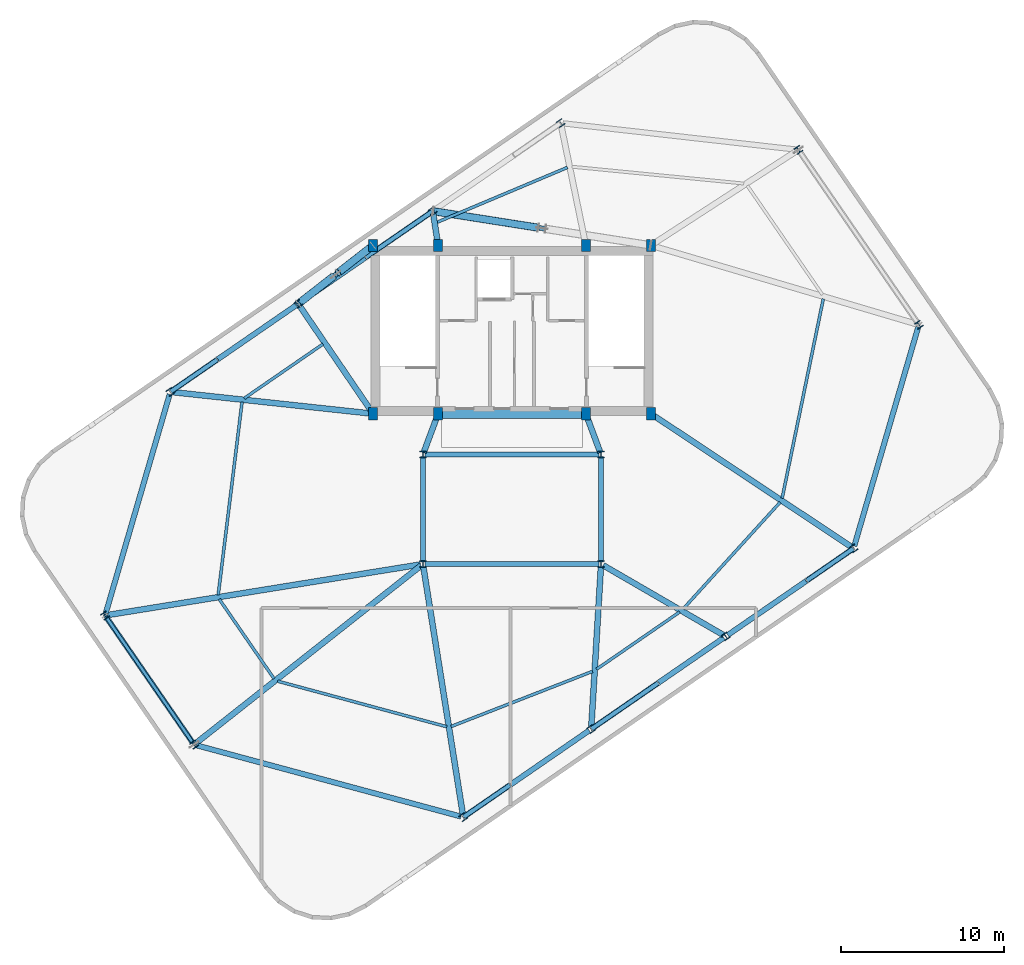
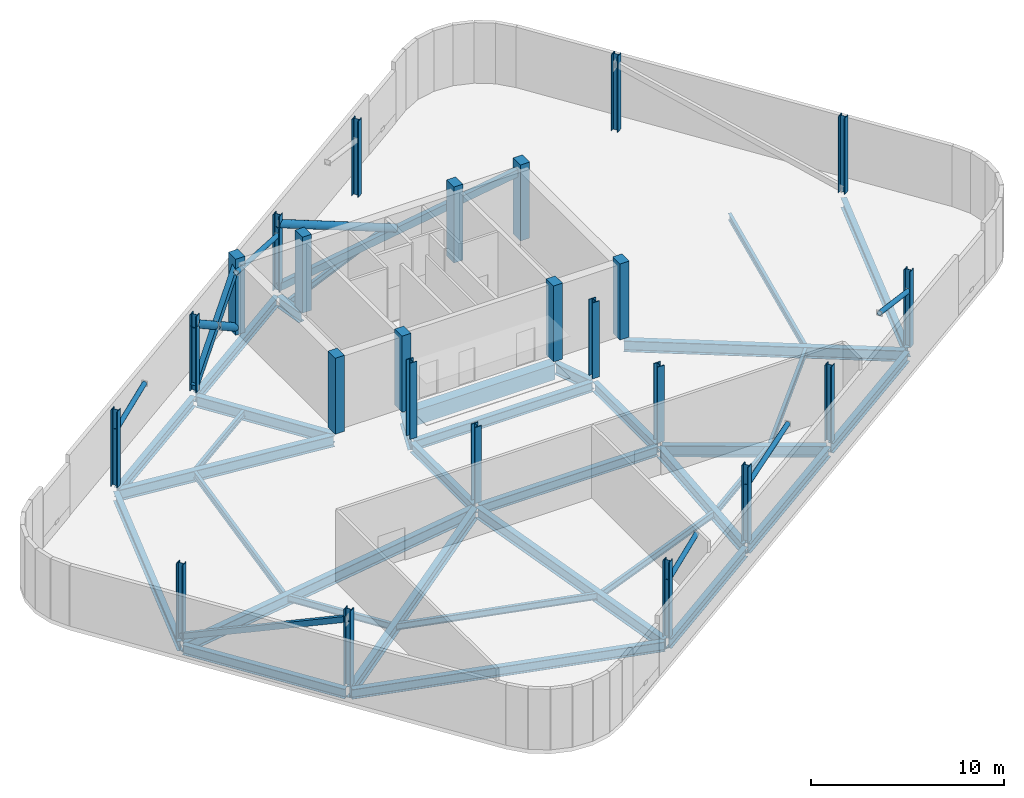
# One storey, part 1 of 10: 34 beams, 24 columns, 11 members.
"""IFC4 building model written with IfcOpenShell, lengths in metres."""

import ifcopenshell
import ifcopenshell.guid

model = None  # the IFC model being written
_history = None  # IfcOwnerHistory: only IFC2X3 demands one
_inside = {}  # id of a spatial element -> (the spatial element, [elements in it])
_under = {}  # id of a project, library or spatial element -> (it, [spatial elements below it])
_declared = {}  # id of a project -> (the project, [libraries it declares])
_typed = {}  # id of a type object -> (the type object, [elements of that type])
_made_of = {}  # id of a material, layer set ... -> (it, [elements and type objects made of it])


def new_model(schema):
    """Start an empty IFC model of exactly this schema.

    Asked for "IFC4X3", IfcOpenShell would pick the latest addendum, in which some entities
    have other attributes; the version numbers below select the first issue.
    IFC2X3 requires an IfcOwnerHistory on every rooted entity: one is made here for all.
    """
    global model, _history
    if schema == "IFC4X3":
        model = ifcopenshell.file(schema_version=(4, 3, 0, 0))
    else:
        model = ifcopenshell.file(schema=schema)
    _inside.clear()
    _under.clear()
    _declared.clear()
    _typed.clear()
    _made_of.clear()
    _history = None
    if model.schema == "IFC2X3":
        org = make("IfcOrganization", Name="unknown")
        user = make(
            "IfcPersonAndOrganization",
            ThePerson=make("IfcPerson", FamilyName="unknown"),
            TheOrganization=org,
        )
        app = make(
            "IfcApplication",
            ApplicationDeveloper=org,
            Version="unknown",
            ApplicationFullName="unknown",
            ApplicationIdentifier="unknown",
        )
        _history = make(
            "IfcOwnerHistory",
            OwningUser=user,
            OwningApplication=app,
            ChangeAction="ADDED",
            CreationDate=0,
        )
    return model


def make(cls, **values):
    """One entity of the class cls with the attributes given. An attribute that is None is left unset."""
    return model.create_entity(
        cls, **{name: value for name, value in values.items() if value is not None}
    )


def rooted(cls, **values):
    """An entity with a GlobalId (a new one), such as an element, a storey or a relation."""
    return make(cls, GlobalId=ifcopenshell.guid.new(), OwnerHistory=_history, **values)


def si_unit(unit_type, name, prefix=None):
    """IfcSIUnit, for example si_unit("LENGTHUNIT", "METRE", prefix="MILLI")."""
    return make("IfcSIUnit", UnitType=unit_type, Prefix=prefix, Name=name)


def assignment(units):
    """IfcUnitAssignment: the units of a project."""
    return None if units is None else make("IfcUnitAssignment", Units=units)


def point(xyz):
    """IfcCartesianPoint."""
    return None if xyz is None else make("IfcCartesianPoint", Coordinates=xyz)


def direction(xyz):
    """IfcDirection."""
    return None if xyz is None else make("IfcDirection", DirectionRatios=xyz)


def frame(location, z_axis=None, x_axis=None):
    """IfcAxis2Placement3D, a coordinate frame: its origin and axes. An axis left out is left unset."""
    return make(
        "IfcAxis2Placement3D",
        Location=point(location),
        Axis=direction(z_axis),
        RefDirection=direction(x_axis),
    )


def frame_2d(location, x_axis=None):
    """IfcAxis2Placement2D, a coordinate frame in the plane: its origin and x axis."""
    return make(
        "IfcAxis2Placement2D", Location=point(location), RefDirection=direction(x_axis)
    )


def origin():
    """The frame at (0, 0, 0) with its axes left unset."""
    return frame((0.0, 0.0, 0.0))


def origin_2d():
    """The frame at (0, 0) in the plane with its x axis left unset."""
    return frame_2d((0.0, 0.0))


def place(relative_to, where):
    """IfcLocalPlacement: puts the frame where relative to a parent placement (None: the world)."""
    return make(
        "IfcLocalPlacement", PlacementRelTo=relative_to, RelativePlacement=where
    )


def context(
    kind, dimensions, precision=None, world=None, true_north=None, identifier=None
):
    """IfcGeometricRepresentationContext, for example the 3D "Model" context."""
    return make(
        "IfcGeometricRepresentationContext",
        ContextIdentifier=identifier,
        ContextType=kind,
        CoordinateSpaceDimension=dimensions,
        Precision=precision,
        WorldCoordinateSystem=world,
        TrueNorth=true_north,
    )


def subcontext(parent, identifier, kind, view, scale=None):
    """IfcGeometricRepresentationSubContext, for example "Body" below "Model"."""
    return make(
        "IfcGeometricRepresentationSubContext",
        ContextIdentifier=identifier,
        ContextType=kind,
        ParentContext=parent,
        TargetScale=scale,
        TargetView=view,
    )


def project(units=None, contexts=None):
    """IfcProject with its units and contexts."""
    return rooted(
        "IfcProject",
        Name="project",
        RepresentationContexts=contexts,
        UnitsInContext=assignment(units),
    )


def spatial(cls, under=None, at=None, **own):
    """A site, building, storey or space (cls), placed at a placement, below another one or the project."""
    s = rooted(cls, ObjectPlacement=at, **own)
    if under is not None:
        _under.setdefault(under.id(), (under, []))[1].append(s)
    return s


def profile(cls, at=None, kind="AREA", **sizes):
    """A parametric profile (cls). Its sizes go by their IFC names, for example OverallWidth=200.0."""
    return make(cls, ProfileType=kind, Position=at, **sizes)


def rectangle(**sizes):
    """IfcRectangleProfileDef."""
    return profile("IfcRectangleProfileDef", **sizes)


def hollow_rectangle(**sizes):
    """IfcRectangleHollowProfileDef."""
    return profile("IfcRectangleHollowProfileDef", **sizes)


def hollow_circle(**sizes):
    """IfcCircleHollowProfileDef."""
    return profile("IfcCircleHollowProfileDef", **sizes)


def i_section(**sizes):
    """IfcIShapeProfileDef."""
    return profile("IfcIShapeProfileDef", **sizes)


def extrude(swept, where, along, depth):
    """IfcExtrudedAreaSolid: the profile swept, set in the frame where, extruded along a direction by depth."""
    return make(
        "IfcExtrudedAreaSolid",
        SweptArea=swept,
        Position=where,
        ExtrudedDirection=direction(along),
        Depth=depth,
    )


def shape(context_of_items, identifier, shape_type, items):
    """IfcShapeRepresentation: the items that make up one representation, for example the "Body"."""
    return make(
        "IfcShapeRepresentation",
        ContextOfItems=context_of_items,
        RepresentationIdentifier=identifier,
        RepresentationType=shape_type,
        Items=items,
    )


def material(Name=None, Category=None):
    """IfcMaterial."""
    return make("IfcMaterial", Name=Name, Category=Category)


def material_profile(
    of_material, cross_section, Name=None, Category=None, Priority=None
):
    """IfcMaterialProfile: a cross section and its material."""
    return make(
        "IfcMaterialProfile",
        Name=Name,
        Material=of_material,
        Profile=cross_section,
        Priority=Priority,
        Category=Category,
    )


def profile_set(profiles, Name=None, composite=None):
    """IfcMaterialProfileSet."""
    return make(
        "IfcMaterialProfileSet",
        Name=Name,
        MaterialProfiles=profiles,
        CompositeProfile=composite,
    )


def made_of(thing, what):
    """Note that an element or type object is made of a material, layer set ...; save() writes the relation."""
    if what is not None:
        _made_of.setdefault(what.id(), (what, []))[1].append(thing)
    return thing


def type_object(cls, material=None, **own):
    """A type object (cls), such as IfcWallType, which elements share."""
    return made_of(rooted(cls, **own), material)


def element(
    cls,
    number,
    at=None,
    inside=None,
    cuts=None,
    type_object=None,
    material=None,
    context=None,
    identifier="Body",
    shape_type=None,
    held_by="IfcProductDefinitionShape",
    body=None,
    shapes=None,
    **own,
):
    """One element of the class cls, such as IfcWall. Its Tag is "e" and its number.

    at: its placement. inside: the storey or other place that contains it. cuts: it is an
    opening in that element (IfcRelVoidsElement). A single representation is given by context,
    identifier, shape_type and body (its items); several are given by shapes. held_by: the class
    of the entity that holds the representations. save() writes the other relations.
    """
    e = rooted(cls, Tag="e%d" % number, ObjectPlacement=at, **own)
    if body is not None:
        shapes = [shape(context, identifier, shape_type, body)]
    if shapes is not None:
        e.Representation = make(held_by, Representations=shapes)
    if inside is not None:
        _inside.setdefault(inside.id(), (inside, []))[1].append(e)
    if cuts is not None:
        rooted(
            "IfcRelVoidsElement", RelatingBuildingElement=cuts, RelatedOpeningElement=e
        )
    if type_object is not None:
        _typed.setdefault(type_object.id(), (type_object, []))[1].append(e)
    return made_of(e, material)


def aggregate(whole, parts):
    """IfcRelAggregates: a whole, such as a stair, and the parts it consists of."""
    return rooted("IfcRelAggregates", RelatingObject=whole, RelatedObjects=parts)


def save(model, path):
    """Write the relations noted so far, then the file.

    IfcRelAggregates (storeys below a building ...), IfcRelContainedInSpatialStructure (elements
    in a storey), IfcRelDefinesByType, IfcRelAssociatesMaterial and IfcRelDeclares: one each for
    every whole, place, type object, material and project.
    """
    for whole, parts in _under.values():
        aggregate(whole, parts)
    for where, things in _inside.values():
        rooted(
            "IfcRelContainedInSpatialStructure",
            RelatedElements=things,
            RelatingStructure=where,
        )
    for kind, things in _typed.values():
        rooted("IfcRelDefinesByType", RelatedObjects=things, RelatingType=kind)
    for what, things in _made_of.values():
        rooted("IfcRelAssociatesMaterial", RelatedObjects=things, RelatingMaterial=what)
    for by, libraries in _declared.values():
        rooted("IfcRelDeclares", RelatingContext=by, RelatedDefinitions=libraries)
    model.write(path)


model = new_model("IFC4")

# Units and contexts
model_context = context("Model", 3, precision=1e-05, world=origin(), true_north=direction((0.0, 1.0)))
body_context = subcontext(model_context, "Body", "Model", "MODEL_VIEW")
ifc_project = project(units=[si_unit("LENGTHUNIT", "METRE"), si_unit("AREAUNIT", "SQUARE_METRE"), si_unit("VOLUMEUNIT", "CUBIC_METRE"), si_unit("PLANEANGLEUNIT", "RADIAN"), si_unit("MASSUNIT", "GRAM", prefix="KILO")], contexts=[model_context])

# Site, building, storey
site_placement = place(None, origin())
site = spatial("IfcSite", under=ifc_project, at=site_placement, CompositionType="ELEMENT")
building_placement = place(site_placement, origin())
building = spatial("IfcBuilding", under=site, at=building_placement, Name="Varnelok Gate Tower", CompositionType="ELEMENT")
storey_placement = place(building_placement, frame((0.0, 0.0, 305.89990234375)))
storey = spatial("IfcBuildingStorey", under=building, at=storey_placement, Name="L78", CompositionType="ELEMENT", Elevation=305.89990234375)

# Columns
ifc_material_1 = material(Name="Concrete C50/60", Category="concrete")
ifc_material_profile_1 = material_profile(ifc_material_1, rectangle(XDim=0.550048828125, YDim=0.75, at=origin_2d()), Name="RC750X550")
ifc_profile_set_1 = profile_set([ifc_material_profile_1], Name="Concrete C50/60")
column_type_1 = type_object("IfcColumnType", Name="COL-RC750X550", PredefinedType="COLUMN", material=ifc_profile_set_1)
for number, where, z_axis, x_axis, name in (
    (1, (30.699951171875, 28.75, 0.0), (0.0, 0.0, 1.0), (1.0, 0.0, 0.0), "L78 Core Spine Column SC1"),
    (2, (34.679931640625, 28.75, 0.0), (0.0, 0.0, 1.0), (1.0, 0.0, 0.0), "L78 Core Spine Column SC2"),
    (3, (43.719970703125, 28.75, 0.0), (0.0, 0.0, 1.0), (1.0, 0.0, 0.0), "L78 Core Spine Column SC3"),
    (4, (47.699951171875, 28.75, 0.0), (0.0, 0.0, 1.0), (1.0, 0.0, 0.0), "L78 Core Spine Column SC4"),
    (5, (30.699951171875, 39.050048828125, 0.0), (0.0, 0.0, 1.0), (1.0, 0.0, 0.0), "L78 Core Spine Column SC5"),
    (6, (34.679931640625, 39.050048828125, 0.0), (0.0, 0.0, 1.0), (1.0, 0.0, 0.0), "L78 Core Spine Column SC6"),
    (7, (43.719970703125, 39.050048828125, 0.0), (0.0, 0.0, 1.0), (1.0, 0.0, 0.0), "L78 Core Spine Column SC7"),
    (8, (47.699951171875, 39.050048828125, 0.0), (0.0, 0.0, 1.0), (1.0, 0.0, 0.0), "L78 Core Spine Column SC8"),
):
    element("IfcColumn", number, at=place(storey_placement, frame(where, z_axis=z_axis, x_axis=x_axis)), inside=storey, type_object=column_type_1, Name=name, PredefinedType="COLUMN", context=body_context, shape_type="SweptSolid", body=[
        extrude(rectangle(XDim=0.550048828125, YDim=0.75, at=origin_2d()), origin(), (0.0, 0.0, 1.0), 4.800048828125),
    ])
ifc_material_2 = material(Name="Structural Steel ASTM A992 Grade 50", Category="steel")
ifc_material_profile_2 = material_profile(ifc_material_2, i_section(OverallWidth=0.40087890625, OverallDepth=0.39892578125, WebThickness=0.02490234375, FlangeThickness=0.03955078125, FilletRadius=0.02197265625, at=origin_2d()), Name="W14X211")
ifc_profile_set_2 = profile_set([ifc_material_profile_2], Name="Structural Steel ASTM A992 Grade 50")
column_type_2 = type_object("IfcColumnType", Name="COL-W14X211", PredefinedType="COLUMN", material=ifc_profile_set_2)
for number, where, z_axis, x_axis, name in (
    (9, (36.2216796875, 4.062744140625, 0.0), (0.0, 0.0, 1.0), (0.823532597628, 0.567268949127, 0.0), "L78 Crown Column CC01"),
    (10, (44.045166015625, 9.451904296875, 0.0), (0.0, 0.0, 1.0), (0.823532597628, 0.567268949127, 0.0), "L78 Crown Column CC02"),
    (11, (52.280517578125, 15.12451171875, 0.0), (0.0, 0.0, 1.0), (0.823532597628, 0.567268949127, 0.0), "L78 Crown Column CC03"),
    (12, (60.10400390625, 20.513671875, 0.0), (0.0, 0.0, 1.0), (0.823532597628, 0.567268949127, 0.0), "L78 Crown Column CC04"),
    (13, (64.0986328125, 34.193603515625, 0.0), (0.0, 0.0, 1.0), (0.823532597628, 0.567268949127, 0.0), "L78 Crown Column CC05"),
    (14, (56.72412109375, 44.899658203125, 0.0), (0.0, 0.0, 1.0), (0.823532597628, 0.567268949127, 0.0), "L78 Crown Column CC06"),
    (15, (42.178466796875, 46.537109375, 0.0), (0.0, 0.0, 1.0), (0.823532597628, 0.567268949127, 0.0), "L78 Crown Column CC07"),
    (16, (34.354736328125, 41.148193359375, 0.0), (0.0, 0.0, 1.0), (0.823532597628, 0.567268949127, 0.0), "L78 Crown Column CC08"),
    (17, (26.119384765625, 35.4755859375, 0.0), (0.0, 0.0, 1.0), (0.823532597628, 0.567268949127, 0.0), "L78 Crown Column CC09"),
    (18, (18.2958984375, 30.08642578125, 0.0), (0.0, 0.0, 1.0), (0.823532597628, 0.567268949127, 0.0), "L78 Crown Column CC10"),
    (19, (14.30126953125, 16.40625, 0.0), (0.0, 0.0, 1.0), (0.823532597628, 0.567268949127, 0.0), "L78 Crown Column CC11"),
    (20, (19.7470703125, 8.50048828125, 0.0), (0.0, 0.0, 1.0), (0.823532597628, 0.567268949127, 0.0), "L78 Crown Column CC12"),
):
    element("IfcColumn", number, at=place(storey_placement, frame(where, z_axis=z_axis, x_axis=x_axis)), inside=storey, type_object=column_type_2, Name=name, PredefinedType="COLUMN", context=body_context, shape_type="SweptSolid", body=[
        extrude(i_section(OverallWidth=0.40087890625, OverallDepth=0.39892578125, WebThickness=0.02490234375, FlangeThickness=0.03955078125, FilletRadius=0.02197265625, at=origin_2d()), origin(), (0.0, 0.0, 1.0), 4.800048828125),
    ])
ifc_material_profile_3 = material_profile(ifc_material_2, i_section(OverallWidth=0.406005859375, OverallDepth=0.416015625, WebThickness=0.02978515625, FlangeThickness=0.048095703125, FilletRadius=0.02490234375, at=origin_2d()), Name="W14X257")
ifc_profile_set_3 = profile_set([ifc_material_profile_3], Name="Structural Steel ASTM A992 Grade 50")
column_type_3 = type_object("IfcColumnType", Name="COL-W14X257", PredefinedType="COLUMN", material=ifc_profile_set_3)
for number, where, z_axis, x_axis, name in (
    (21, (33.75, 19.550048828125, 0.0), (0.0, 0.0, 1.0), (1.0, 0.0, 0.0), "L78 Atrium Spine Column AC1"),
    (22, (44.64990234375, 19.550048828125, 0.0), (0.0, 0.0, 1.0), (1.0, 0.0, 0.0), "L78 Atrium Spine Column AC2"),
    (23, (33.75, 26.25, 0.0), (0.0, 0.0, 1.0), (1.0, 0.0, 0.0), "L78 Atrium Spine Column AC3"),
    (24, (44.64990234375, 26.25, 0.0), (0.0, 0.0, 1.0), (1.0, 0.0, 0.0), "L78 Atrium Spine Column AC4"),
):
    element("IfcColumn", number, at=place(storey_placement, frame(where, z_axis=z_axis, x_axis=x_axis)), inside=storey, type_object=column_type_3, Name=name, PredefinedType="COLUMN", context=body_context, shape_type="SweptSolid", body=[
        extrude(i_section(OverallWidth=0.406005859375, OverallDepth=0.416015625, WebThickness=0.02978515625, FlangeThickness=0.048095703125, FilletRadius=0.02490234375, at=origin_2d()), origin(), (0.0, 0.0, 1.0), 4.800048828125),
    ])

# Beams
ifc_material_profile_4 = material_profile(ifc_material_2, i_section(OverallWidth=0.180908203125, OverallDepth=0.4169921875, WebThickness=0.010986328125, FlangeThickness=0.018310546875, FilletRadius=0.013916015625, at=origin_2d()), Name="W16X57")
ifc_profile_set_4 = profile_set([ifc_material_profile_4], Name="Structural Steel ASTM A992 Grade 50")
beam_type_1 = type_object("IfcBeamType", Name="BM-JST-W16X57", PredefinedType="JOIST", material=ifc_profile_set_4)
beam_1_placement = place(storey_placement, frame((35.474609375, 9.611572265625, -0.45849609375), z_axis=(0.931694584861, 0.36324261939, 0.0), x_axis=(-0.36324261939, 0.931694584861, 0.0)))
element("IfcBeam", 25, at=beam_1_placement, inside=storey, type_object=beam_type_1, Name="L78 Sector Floor Joist 1", PredefinedType="JOIST", context=body_context, shape_type="SweptSolid", body=[
    extrude(i_section(OverallWidth=0.180908203125, OverallDepth=0.4169921875, WebThickness=0.010986328125, FlangeThickness=0.018310546875, FilletRadius=0.013916015625, at=origin_2d()), origin(), (0.0, 0.0, 1.0), 9.289306640625),
])
beam_2_placement = place(storey_placement, frame((44.375244140625, 13.1162109375, -0.45849609375), z_axis=(0.823528962347, 0.56727422661, 0.0), x_axis=(-0.56727422661, 0.823528962347, 0.0)))
element("IfcBeam", 26, at=beam_2_placement, inside=storey, type_object=beam_type_1, Name="L78 Sector Floor Joist 2", PredefinedType="JOIST", context=body_context, shape_type="SweptSolid", body=[
    extrude(i_section(OverallWidth=0.180908203125, OverallDepth=0.4169921875, WebThickness=0.010986328125, FlangeThickness=0.018310546875, FilletRadius=0.013916015625, at=origin_2d()), origin(), (0.0, 0.0, 1.0), 6.169921875),
])
beam_3_placement = place(storey_placement, frame((49.665771484375, 16.799072265625, -0.45849609375), z_axis=(0.672663162295, 0.739948829374, 0.0), x_axis=(-0.739948829374, 0.672663162295, 0.0)))
element("IfcBeam", 27, at=beam_3_placement, inside=storey, type_object=beam_type_1, Name="L78 Sector Floor Joist 3", PredefinedType="JOIST", context=body_context, shape_type="SweptSolid", body=[
    extrude(i_section(OverallWidth=0.180908203125, OverallDepth=0.4169921875, WebThickness=0.010986328125, FlangeThickness=0.018310546875, FilletRadius=0.013916015625, at=origin_2d()), origin(), (0.0, 0.0, 1.0), 8.83154296875),
])
beam_4_placement = place(storey_placement, frame((55.72900390625, 23.57470703125, -0.45849609375), z_axis=(0.202177420091, 0.979348911678, 0.0), x_axis=(-0.979348911678, 0.202177420091, 0.0)))
element("IfcBeam", 28, at=beam_4_placement, inside=storey, type_object=beam_type_1, Name="L78 Sector Floor Joist 4", PredefinedType="JOIST", context=body_context, shape_type="SweptSolid", body=[
    extrude(i_section(OverallWidth=0.180908203125, OverallDepth=0.4169921875, WebThickness=0.010986328125, FlangeThickness=0.018310546875, FilletRadius=0.013916015625, at=origin_2d()), origin(), (0.0, 0.0, 1.0), 12.463134765625),
])
beam_5_placement = place(storey_placement, frame((42.5966796875, 43.824951171875, -0.45849609375), z_axis=(-0.921639611982, -0.388046937401, 0.0), x_axis=(0.388046937401, -0.921639611982, 0.0)))
element("IfcBeam", 29, at=beam_5_placement, inside=storey, type_object=beam_type_1, Name="L78 Sector Floor Joist 7", PredefinedType="JOIST", context=body_context, shape_type="SweptSolid", body=[
    extrude(i_section(OverallWidth=0.180908203125, OverallDepth=0.4169921875, WebThickness=0.010986328125, FlangeThickness=0.018310546875, FilletRadius=0.013916015625, at=origin_2d()), origin(), (0.0, 0.0, 1.0), 8.67724609375),
])
beam_6_placement = place(storey_placement, frame((27.63037109375, 33.008544921875, -0.45849609375), z_axis=(-0.823533606977, -0.567267483802, 0.0), x_axis=(0.567267483802, -0.823533606977, 0.0)))
element("IfcBeam", 30, at=beam_6_placement, inside=storey, type_object=beam_type_1, Name="L78 Sector Floor Joist 8", PredefinedType="JOIST", context=body_context, shape_type="SweptSolid", body=[
    extrude(i_section(OverallWidth=0.180908203125, OverallDepth=0.4169921875, WebThickness=0.010986328125, FlangeThickness=0.018310546875, FilletRadius=0.013916015625, at=origin_2d()), origin(), (0.0, 0.0, 1.0), 5.84765625),
])
beam_7_placement = place(storey_placement, frame((22.68212890625, 29.472900390625, -0.45849609375), z_axis=(-0.122610637563, -0.992454851143, 0.0), x_axis=(0.992454851143, -0.122610637563, 0.0)))
element("IfcBeam", 31, at=beam_7_placement, inside=storey, type_object=beam_type_1, Name="L78 Sector Floor Joist 9", PredefinedType="JOIST", context=body_context, shape_type="SweptSolid", body=[
    extrude(i_section(OverallWidth=0.180908203125, OverallDepth=0.4169921875, WebThickness=0.010986328125, FlangeThickness=0.018310546875, FilletRadius=0.013916015625, at=origin_2d()), origin(), (0.0, 0.0, 1.0), 11.9013671875),
])
beam_8_placement = place(storey_placement, frame((21.284912109375, 17.406982421875, -0.45849609375), z_axis=(0.56728220933, -0.823523463526, 0.0), x_axis=(0.823523463526, 0.56728220933, 0.0)))
element("IfcBeam", 32, at=beam_8_placement, inside=storey, type_object=beam_type_1, Name="L78 Sector Floor Joist 10", PredefinedType="JOIST", context=body_context, shape_type="SweptSolid", body=[
    extrude(i_section(OverallWidth=0.180908203125, OverallDepth=0.4169921875, WebThickness=0.010986328125, FlangeThickness=0.018310546875, FilletRadius=0.013916015625, at=origin_2d()), origin(), (0.0, 0.0, 1.0), 5.911865234375),
])
beam_9_placement = place(storey_placement, frame((24.853271484375, 12.38671875, -0.45849609375), z_axis=(0.965581242907, -0.260101640414, 0.0), x_axis=(0.260101640414, 0.965581242907, 0.0)))
element("IfcBeam", 33, at=beam_9_placement, inside=storey, type_object=beam_type_1, Name="L78 Sector Floor Joist 11", PredefinedType="JOIST", context=body_context, shape_type="SweptSolid", body=[
    extrude(i_section(OverallWidth=0.180908203125, OverallDepth=0.4169921875, WebThickness=0.010986328125, FlangeThickness=0.018310546875, FilletRadius=0.013916015625, at=origin_2d()), origin(), (0.0, 0.0, 1.0), 10.724853515625),
])
ifc_material_3 = material(Name="Concrete C60/75", Category="concrete")
ifc_material_profile_5 = material_profile(ifc_material_3, rectangle(XDim=0.60009765625, YDim=0.949951171875, at=origin_2d()), Name="RC950X600")
ifc_profile_set_5 = profile_set([ifc_material_profile_5], Name="Concrete C60/75")
beam_type_2 = type_object("IfcBeamType", Name="BM-LNT-RC950", PredefinedType="LINTEL", material=ifc_profile_set_5)
beam_10_placement = place(storey_placement, frame((34.800048828125, 28.75, -0.724853515625), z_axis=(1.0, 0.0, 0.0), x_axis=(0.0, 1.0, 0.0)))
element("IfcBeam", 34, at=beam_10_placement, inside=storey, type_object=beam_type_2, Name="L78 Core-Atrium Spine Beam 7", PredefinedType="LINTEL", context=body_context, shape_type="SweptSolid", body=[
    extrude(rectangle(XDim=0.60009765625, YDim=0.949951171875, at=origin_2d()), origin(), (0.0, 0.0, 1.0), 8.800048828125),
])
ifc_material_profile_6 = material_profile(ifc_material_2, i_section(OverallWidth=0.35498046875, OverallDepth=0.696044921875, WebThickness=0.015380859375, FlangeThickness=0.02490234375, FilletRadius=0.02001953125, at=origin_2d()), Name="W27X146")
ifc_profile_set_6 = profile_set([ifc_material_profile_6], Name="Structural Steel ASTM A992 Grade 50")
beam_type_3 = type_object("IfcBeamType", Name="BM-PRI-W27X146", PredefinedType="BEAM", material=ifc_profile_set_6)
for number, where, z_axis, x_axis, name in (
    (35, (33.791748046875, 26.362548828125, -0.597900390625), (0.348719329408, 0.937227202602, 0.0), (-0.937227202602, 0.348719329408, 0.0), "L78 Core-Atrium Spine Beam 12"),
    (36, (44.608154296875, 26.362548828125, -0.597900390625), (-0.348719329408, 0.937227202602, 0.0), (-0.937227202602, -0.348719329408, 0.0), "L78 Core-Atrium Spine Beam 13"),
):
    element("IfcBeam", number, at=place(storey_placement, frame(where, z_axis=z_axis, x_axis=x_axis)), inside=storey, type_object=beam_type_3, Name=name, PredefinedType="BEAM", context=body_context, shape_type="SweptSolid", body=[
        extrude(i_section(OverallWidth=0.35498046875, OverallDepth=0.696044921875, WebThickness=0.015380859375, FlangeThickness=0.02490234375, FilletRadius=0.02001953125, at=origin_2d()), origin(), (0.0, 0.0, 1.0), 2.42724609375),
    ])
beam_11_placement = place(storey_placement, frame((33.773681640625, 19.40185546875, -0.597900390625), z_axis=(0.1575955791, -0.987503738448, 0.0), x_axis=(0.987503738448, 0.1575955791, 0.0)))
element("IfcBeam", 37, at=beam_11_placement, inside=storey, type_object=beam_type_3, Name="L78 Radial Floor Girder 1", PredefinedType="BEAM", context=body_context, shape_type="SweptSolid", body=[
    extrude(i_section(OverallWidth=0.35498046875, OverallDepth=0.696044921875, WebThickness=0.015380859375, FlangeThickness=0.02490234375, FilletRadius=0.02001953125, at=origin_2d()), origin(), (0.0, 0.0, 1.0), 15.383056640625),
])
beam_12_placement = place(storey_placement, frame((44.64111328125, 19.400390625, -0.597900390625), z_axis=(-0.059789199361, -0.998211025605, 0.0), x_axis=(0.998211025605, -0.059789199361, 0.0)))
element("IfcBeam", 38, at=beam_12_placement, inside=storey, type_object=beam_type_3, Name="L78 Radial Floor Girder 2", PredefinedType="BEAM", context=body_context, shape_type="SweptSolid", body=[
    extrude(i_section(OverallWidth=0.35498046875, OverallDepth=0.696044921875, WebThickness=0.015380859375, FlangeThickness=0.02490234375, FilletRadius=0.02001953125, at=origin_2d()), origin(), (0.0, 0.0, 1.0), 9.81640625),
])
beam_13_placement = place(storey_placement, frame((44.77978515625, 19.474609375, -0.597900390625), z_axis=(0.865040888509, -0.501701366559, 0.0), x_axis=(0.501701366559, 0.865040888509, 0.0)))
element("IfcBeam", 39, at=beam_13_placement, inside=storey, type_object=beam_type_3, Name="L78 Radial Floor Girder 3", PredefinedType="BEAM", context=body_context, shape_type="SweptSolid", body=[
    extrude(i_section(OverallWidth=0.35498046875, OverallDepth=0.696044921875, WebThickness=0.015380859375, FlangeThickness=0.02490234375, FilletRadius=0.02001953125, at=origin_2d()), origin(), (0.0, 0.0, 1.0), 8.520751953125),
])
beam_14_placement = place(storey_placement, frame((47.824951171875, 28.6669921875, -0.597900390625), z_axis=(0.833073516388, -0.553162287482, 0.0), x_axis=(0.553162287482, 0.833073516388, 0.0)))
element("IfcBeam", 40, at=beam_14_placement, inside=storey, type_object=beam_type_3, Name="L78 Radial Floor Girder 4", PredefinedType="BEAM", context=body_context, shape_type="SweptSolid", body=[
    extrude(i_section(OverallWidth=0.35498046875, OverallDepth=0.696044921875, WebThickness=0.015380859375, FlangeThickness=0.02490234375, FilletRadius=0.02001953125, at=origin_2d()), origin(), (0.0, 0.0, 1.0), 14.58935546875),
])
beam_15_placement = place(storey_placement, frame((34.656982421875, 39.1982421875, -0.597900390625), z_axis=(-0.15318403046, 0.988197679016, 0.0), x_axis=(-0.988197679016, -0.15318403046, 0.0)))
element("IfcBeam", 41, at=beam_15_placement, inside=storey, type_object=beam_type_3, Name="L78 Radial Floor Girder 8", PredefinedType="BEAM", context=body_context, shape_type="SweptSolid", body=[
    extrude(i_section(OverallWidth=0.35498046875, OverallDepth=0.696044921875, WebThickness=0.015380859375, FlangeThickness=0.02490234375, FilletRadius=0.02001953125, at=origin_2d()), origin(), (0.0, 0.0, 1.0), 1.8232421875),
])
beam_16_placement = place(storey_placement, frame((30.615478515625, 28.8740234375, -0.597900390625), z_axis=(-0.56291143467, 0.826517221066, 0.0), x_axis=(-0.826517221066, -0.56291143467, 0.0)))
element("IfcBeam", 42, at=beam_16_placement, inside=storey, type_object=beam_type_3, Name="L78 Radial Floor Girder 9", PredefinedType="BEAM", context=body_context, shape_type="SweptSolid", body=[
    extrude(i_section(OverallWidth=0.35498046875, OverallDepth=0.696044921875, WebThickness=0.015380859375, FlangeThickness=0.02490234375, FilletRadius=0.02001953125, at=origin_2d()), origin(), (0.0, 0.0, 1.0), 7.837158203125),
])
beam_17_placement = place(storey_placement, frame((30.55078125, 28.76611328125, -0.597900390625), z_axis=(-0.994246705961, 0.107114367314, 0.0), x_axis=(-0.107114367314, -0.994246705961, 0.0)))
element("IfcBeam", 43, at=beam_17_placement, inside=storey, type_object=beam_type_3, Name="L78 Radial Floor Girder 10", PredefinedType="BEAM", context=body_context, shape_type="SweptSolid", body=[
    extrude(i_section(OverallWidth=0.35498046875, OverallDepth=0.696044921875, WebThickness=0.015380859375, FlangeThickness=0.02490234375, FilletRadius=0.02001953125, at=origin_2d()), origin(), (0.0, 0.0, 1.0), 12.17578125),
])
beam_18_placement = place(storey_placement, frame((33.601806640625, 19.526123046875, -0.597900390625), z_axis=(-0.987185479343, -0.159577032729, 0.0), x_axis=(0.159577032729, -0.987185479343, 0.0)))
element("IfcBeam", 44, at=beam_18_placement, inside=storey, type_object=beam_type_3, Name="L78 Radial Floor Girder 11", PredefinedType="BEAM", context=body_context, shape_type="SweptSolid", body=[
    extrude(i_section(OverallWidth=0.35498046875, OverallDepth=0.696044921875, WebThickness=0.015380859375, FlangeThickness=0.02490234375, FilletRadius=0.02001953125, at=origin_2d()), origin(), (0.0, 0.0, 1.0), 19.40087890625),
])
beam_19_placement = place(storey_placement, frame((33.632080078125, 19.45703125, -0.597900390625), z_axis=(-0.785021008542, -0.619469140594, 0.0), x_axis=(0.619469140594, -0.785021008542, 0.0)))
element("IfcBeam", 45, at=beam_19_placement, inside=storey, type_object=beam_type_3, Name="L78 Radial Floor Girder 12", PredefinedType="BEAM", context=body_context, shape_type="SweptSolid", body=[
    extrude(i_section(OverallWidth=0.35498046875, OverallDepth=0.696044921875, WebThickness=0.015380859375, FlangeThickness=0.02490234375, FilletRadius=0.02001953125, at=origin_2d()), origin(), (0.0, 0.0, 1.0), 17.537109375),
])
ifc_material_profile_7 = material_profile(ifc_material_2, i_section(OverallWidth=0.323974609375, OverallDepth=0.611083984375, WebThickness=0.0126953125, FlangeThickness=0.01904296875, FilletRadius=0.01806640625, at=origin_2d()), Name="W24X104")
ifc_profile_set_7 = profile_set([ifc_material_profile_7], Name="Structural Steel ASTM A992 Grade 50")
beam_type_4 = type_object("IfcBeamType", Name="BM-SPN-W24X104", PredefinedType="SPANDREL", material=ifc_profile_set_7)
for number, where, z_axis, x_axis, name in (
    (46, (33.8701171875, 19.550048828125, -0.555419921875), (1.0, 0.0, 0.0), (0.0, 1.0, 0.0), "L78 Core-Atrium Spine Beam 8"),
    (47, (33.8701171875, 26.25, -0.555419921875), (1.0, 0.0, 0.0), (0.0, 1.0, 0.0), "L78 Core-Atrium Spine Beam 9"),
):
    element("IfcBeam", number, at=place(storey_placement, frame(where, z_axis=z_axis, x_axis=x_axis)), inside=storey, type_object=beam_type_4, Name=name, PredefinedType="SPANDREL", context=body_context, shape_type="SweptSolid", body=[
        extrude(i_section(OverallWidth=0.323974609375, OverallDepth=0.611083984375, WebThickness=0.0126953125, FlangeThickness=0.01904296875, FilletRadius=0.01806640625, at=origin_2d()), origin(), (0.0, 0.0, 1.0), 10.659912109375),
    ])
for number, where, z_axis, x_axis, name in (
    (48, (33.75, 19.669921875, -0.555419921875), (0.0, 1.0, 0.0), (-1.0, 0.0, 0.0), "L78 Core-Atrium Spine Beam 10"),
    (49, (44.64990234375, 19.669921875, -0.555419921875), (0.0, 1.0, 0.0), (-1.0, 0.0, 0.0), "L78 Core-Atrium Spine Beam 11"),
):
    element("IfcBeam", number, at=place(storey_placement, frame(where, z_axis=z_axis, x_axis=x_axis)), inside=storey, type_object=beam_type_4, Name=name, PredefinedType="SPANDREL", context=body_context, shape_type="SweptSolid", body=[
        extrude(i_section(OverallWidth=0.323974609375, OverallDepth=0.611083984375, WebThickness=0.0126953125, FlangeThickness=0.01904296875, FilletRadius=0.01806640625, at=origin_2d()), origin(), (0.0, 0.0, 1.0), 6.4599609375),
    ])
beam_20_placement = place(storey_placement, frame((36.34521484375, 4.14794921875, -0.555419921875), z_axis=(0.823535977075, 0.567264042985, 0.0), x_axis=(-0.567264042985, 0.823535977075, 0.0)))
element("IfcBeam", 50, at=beam_20_placement, inside=storey, type_object=beam_type_4, Name="L78 Perimeter Spandrel Beam 1", PredefinedType="SPANDREL", context=body_context, shape_type="SweptSolid", body=[
    extrude(i_section(OverallWidth=0.323974609375, OverallDepth=0.611083984375, WebThickness=0.0126953125, FlangeThickness=0.01904296875, FilletRadius=0.01806640625, at=origin_2d()), origin(), (0.0, 0.0, 1.0), 9.199951171875),
])
beam_21_placement = place(storey_placement, frame((44.168701171875, 9.536865234375, -0.555419921875), z_axis=(0.823536343083, 0.567263511626, 0.0), x_axis=(-0.567263511626, 0.823536343083, 0.0)))
element("IfcBeam", 51, at=beam_21_placement, inside=storey, type_object=beam_type_4, Name="L78 Perimeter Spandrel Beam 2", PredefinedType="SPANDREL", context=body_context, shape_type="SweptSolid", body=[
    extrude(i_section(OverallWidth=0.323974609375, OverallDepth=0.611083984375, WebThickness=0.0126953125, FlangeThickness=0.01904296875, FilletRadius=0.01806640625, at=origin_2d()), origin(), (0.0, 0.0, 1.0), 9.699951171875),
])
beam_22_placement = place(storey_placement, frame((52.404052734375, 15.209716796875, -0.555419921875), z_axis=(0.823544516234, 0.567251645905, 0.0), x_axis=(-0.567251645905, 0.823544516234, 0.0)))
element("IfcBeam", 52, at=beam_22_placement, inside=storey, type_object=beam_type_4, Name="L78 Perimeter Spandrel Beam 3", PredefinedType="SPANDREL", context=body_context, shape_type="SweptSolid", body=[
    extrude(i_section(OverallWidth=0.323974609375, OverallDepth=0.611083984375, WebThickness=0.0126953125, FlangeThickness=0.01904296875, FilletRadius=0.01806640625, at=origin_2d()), origin(), (0.0, 0.0, 1.0), 9.199951171875),
])
beam_23_placement = place(storey_placement, frame((60.14599609375, 20.65771484375, -0.555419921875), z_axis=(0.280305063046, 0.959910970679, 0.0), x_axis=(-0.959910970679, 0.280305063046, 0.0)))
element("IfcBeam", 53, at=beam_23_placement, inside=storey, type_object=beam_type_4, Name="L78 Perimeter Spandrel Beam 4", PredefinedType="SPANDREL", context=body_context, shape_type="SweptSolid", body=[
    extrude(i_section(OverallWidth=0.323974609375, OverallDepth=0.611083984375, WebThickness=0.0126953125, FlangeThickness=0.01904296875, FilletRadius=0.01806640625, at=origin_2d()), origin(), (0.0, 0.0, 1.0), 13.951416015625),
])
beam_24_placement = place(storey_placement, frame((34.231201171875, 41.06298828125, -0.555419921875), z_axis=(-0.823536343083, -0.567263511626, 0.0), x_axis=(0.567263511626, -0.823536343083, 0.0)))
element("IfcBeam", 54, at=beam_24_placement, inside=storey, type_object=beam_type_4, Name="L78 Perimeter Spandrel Beam 8", PredefinedType="SPANDREL", context=body_context, shape_type="SweptSolid", body=[
    extrude(i_section(OverallWidth=0.323974609375, OverallDepth=0.611083984375, WebThickness=0.0126953125, FlangeThickness=0.01904296875, FilletRadius=0.01806640625, at=origin_2d()), origin(), (0.0, 0.0, 1.0), 9.699951171875),
])
beam_25_placement = place(storey_placement, frame((25.99609375, 35.390380859375, -0.555419921875), z_axis=(-0.82353211935, -0.567269643467, 0.0), x_axis=(0.567269643467, -0.82353211935, 0.0)))
element("IfcBeam", 55, at=beam_25_placement, inside=storey, type_object=beam_type_4, Name="L78 Perimeter Spandrel Beam 9", PredefinedType="SPANDREL", context=body_context, shape_type="SweptSolid", body=[
    extrude(i_section(OverallWidth=0.323974609375, OverallDepth=0.611083984375, WebThickness=0.0126953125, FlangeThickness=0.01904296875, FilletRadius=0.01806640625, at=origin_2d()), origin(), (0.0, 0.0, 1.0), 9.2001953125),
])
beam_26_placement = place(storey_placement, frame((18.25390625, 29.9423828125, -0.555419921875), z_axis=(-0.280305063046, -0.959910970679, 0.0), x_axis=(0.959910970679, -0.280305063046, 0.0)))
element("IfcBeam", 56, at=beam_26_placement, inside=storey, type_object=beam_type_4, Name="L78 Perimeter Spandrel Beam 10", PredefinedType="SPANDREL", context=body_context, shape_type="SweptSolid", body=[
    extrude(i_section(OverallWidth=0.323974609375, OverallDepth=0.611083984375, WebThickness=0.0126953125, FlangeThickness=0.01904296875, FilletRadius=0.01806640625, at=origin_2d()), origin(), (0.0, 0.0, 1.0), 13.951416015625),
])
beam_27_placement = place(storey_placement, frame((14.386474609375, 16.28271484375, -0.555419921875), z_axis=(0.567267256345, -0.823533763654, 0.0), x_axis=(0.823533763654, 0.567267256345, 0.0)))
element("IfcBeam", 57, at=beam_27_placement, inside=storey, type_object=beam_type_4, Name="L78 Perimeter Spandrel Beam 11", PredefinedType="SPANDREL", context=body_context, shape_type="SweptSolid", body=[
    extrude(i_section(OverallWidth=0.323974609375, OverallDepth=0.611083984375, WebThickness=0.0126953125, FlangeThickness=0.01904296875, FilletRadius=0.01806640625, at=origin_2d()), origin(), (0.0, 0.0, 1.0), 9.300048828125),
])
beam_28_placement = place(storey_placement, frame((19.891845703125, 8.46142578125, -0.555419921875), z_axis=(0.965584250457, -0.260090475162, 0.0), x_axis=(0.260090475162, 0.965584250457, 0.0)))
element("IfcBeam", 58, at=beam_28_placement, inside=storey, type_object=beam_type_4, Name="L78 Perimeter Spandrel Beam 12", PredefinedType="SPANDREL", context=body_context, shape_type="SweptSolid", body=[
    extrude(i_section(OverallWidth=0.323974609375, OverallDepth=0.611083984375, WebThickness=0.0126953125, FlangeThickness=0.01904296875, FilletRadius=0.01806640625, at=origin_2d()), origin(), (0.0, 0.0, 1.0), 16.761962890625),
])

# Members
ifc_material_4 = material(Name="Structural Steel ASTM A500 Grade C", Category="steel")
ifc_material_profile_8 = material_profile(ifc_material_4, hollow_rectangle(XDim=0.199951171875, YDim=0.35009765625, WallThickness=0.012451171875, at=origin_2d()), Name="HSS350X200X12")
ifc_profile_set_8 = profile_set([ifc_material_profile_8], Name="Structural Steel ASTM A500 Grade C")
member_type_1 = type_object("IfcMemberType", Name="MEM-BLT-BRACE2", PredefinedType="BRACE", material=ifc_profile_set_8)
member_1_placement = place(storey_placement, frame((14.30126953125, 16.40625, 0.2001953125), z_axis=(0.523833692669, -0.760458290864, 0.383798710629), x_axis=(0.823526610383, 0.567277641011, 0.0)))
element("IfcMember", 59, at=member_1_placement, inside=storey, type_object=member_type_1, Name="L78 Belt Truss Diagonal Brace 2", PredefinedType="BRACE", context=body_context, shape_type="SweptSolid", body=[
    extrude(hollow_rectangle(XDim=0.199951171875, YDim=0.35009765625, WallThickness=0.012451171875, at=origin_2d()), origin(), (0.0, 0.0, 1.0), 10.39599609375),
])
ifc_material_profile_9 = material_profile(ifc_material_4, hollow_circle(Radius=0.136474609375, WallThickness=0.012451171875, at=origin_2d()), Name="CHS273X12")
ifc_profile_set_9 = profile_set([ifc_material_profile_9], Name="Structural Steel ASTM A500 Grade C")
member_type_2 = type_object("IfcMemberType", Name="MEM-CANOPY-TIE", PredefinedType="BRACE", material=ifc_profile_set_9)
member_2_placement = place(storey_placement, frame((36.2216796875, 4.062744140625, 3.440185546875), z_axis=(0.802844641355, 0.55300123865, 0.222778167464), x_axis=(-0.567256877873, 0.823540912466, 0.0)))
element("IfcMember", 60, at=member_2_placement, inside=storey, type_object=member_type_2, Name="Crown Canopy Inclined Strut 1", PredefinedType="BRACE", context=body_context, shape_type="SweptSolid", body=[
    extrude(hollow_circle(Radius=0.136474609375, WallThickness=0.012451171875, at=origin_2d()), origin(), (0.0, 0.0, 1.0), 3.590087890625),
])
for number, where, z_axis, x_axis, name in (
    (61, (60.10400390625, 20.513671875, 3.440185546875), (-0.802814449587, -0.553048443036, 0.22276978967), (0.567304185045, -0.823508325174, 0.0), "Crown Canopy Inclined Strut 2"),
    (62, (18.2958984375, 30.08642578125, 3.440185546875), (0.802814449587, 0.553048443036, 0.22276978967), (-0.567304185045, 0.823508325174, 0.0), "Crown Canopy Inclined Strut 3"),
):
    element("IfcMember", number, at=place(storey_placement, frame(where, z_axis=z_axis, x_axis=x_axis)), inside=storey, type_object=member_type_2, Name=name, PredefinedType="BRACE", context=body_context, shape_type="SweptSolid", body=[
        extrude(hollow_circle(Radius=0.136474609375, WallThickness=0.012451171875, at=origin_2d()), origin(), (0.0, 0.0, 1.0), 3.59033203125),
    ])
for number, where, z_axis, x_axis, name in (
    (63, (44.045166015625, 9.451904296875, 3.440185546875), (0.813210031942, 0.560124566647, 0.15795541709), (-0.567245629463, 0.823548660284, 0.0), "Crown Canopy Inclined Strut 5"),
    (64, (34.354736328125, 41.148193359375, 3.440185546875), (-0.813171737107, -0.560179617059, 0.157957344249), (0.56730155686, -0.82351013569, 0.0), "Crown Canopy Inclined Strut 6"),
):
    element("IfcMember", number, at=place(storey_placement, frame(where, z_axis=z_axis, x_axis=x_axis)), inside=storey, type_object=member_type_2, Name=name, PredefinedType="BRACE", context=body_context, shape_type="SweptSolid", body=[
        extrude(hollow_circle(Radius=0.136474609375, WallThickness=0.012451171875, at=origin_2d()), origin(), (0.0, 0.0, 1.0), 5.0634765625),
    ])
ifc_material_profile_10 = material_profile(ifc_material_4, hollow_rectangle(XDim=0.300048828125, YDim=0.449951171875, WallThickness=0.01611328125, at=origin_2d()), Name="HSS450X300X16")
ifc_profile_set_10 = profile_set([ifc_material_profile_10], Name="Structural Steel ASTM A500 Grade C")
member_type_3 = type_object("IfcMemberType", Name="MEM-OUT-BRACE2", PredefinedType="BRACE", material=ifc_profile_set_10)
member_3_placement = place(storey_placement, frame((26.119384765625, 35.4755859375, 0.2001953125), z_axis=(0.649883338434, 0.507139002132, 0.566093348258), x_axis=(-0.615205253383, 0.788366980669, 0.0)))
element("IfcMember", 65, at=member_3_placement, inside=storey, type_object=member_type_3, Name="L78 Plant Outrigger Diagonal 1", PredefinedType="BRACE", context=body_context, shape_type="SweptSolid", body=[
    extrude(hollow_rectangle(XDim=0.300048828125, YDim=0.449951171875, WallThickness=0.01611328125, at=origin_2d()), origin(), (0.0, 0.0, 1.0), 7.04833984375),
])
member_4_placement = place(storey_placement, frame((34.354736328125, 41.148193359375, 0.2001953125), z_axis=(0.947406018681, -0.14895187378, 0.283258142097), x_axis=(0.155312915626, 0.987865323938, 0.0)))
element("IfcMember", 66, at=member_4_placement, inside=storey, type_object=member_type_3, Name="L78 Plant Outrigger Diagonal 2", PredefinedType="BRACE", context=body_context, shape_type="SweptSolid", body=[
    extrude(hollow_rectangle(XDim=0.300048828125, YDim=0.449951171875, WallThickness=0.01611328125, at=origin_2d()), origin(), (0.0, 0.0, 1.0), 14.0859375),
])
ifc_material_profile_11 = material_profile(ifc_material_4, hollow_circle(Radius=0.228515625, WallThickness=0.02001953125, at=origin_2d()), Name="CHS457X20")
ifc_profile_set_11 = profile_set([ifc_material_profile_11], Name="Structural Steel ASTM A500 Grade C")
member_type_4 = type_object("IfcMemberType", Name="MEM-TRUSS-DIAG", PredefinedType="BRACE", material=ifc_profile_set_11)
for number, where, z_axis, x_axis, name in (
    (67, (30.699951171875, 39.050048828125, 0.2001953125), (-0.649865615605, -0.507183352531, 0.566073960335), (0.615249117634, -0.788332749066, 0.0), "L78 Plant Outrigger Counter-Diagonal 1A"),
    (68, (28.2666015625, 37.151123046875, 2.319580078125), (-0.649862784219, -0.507107252768, 0.566145384046), (0.615193408195, -0.788376223965, 0.0), "L78 Plant Outrigger Counter-Diagonal 1B"),
):
    element("IfcMember", number, at=place(storey_placement, frame(where, z_axis=z_axis, x_axis=x_axis)), inside=storey, type_object=member_type_4, Name=name, PredefinedType="BRACE", context=body_context, shape_type="SweptSolid", body=[
        extrude(hollow_circle(Radius=0.228515625, WallThickness=0.02001953125, at=origin_2d()), origin(), (0.0, 0.0, 1.0), 3.30419921875),
    ])
member_5_placement = place(storey_placement, frame((40.819091796875, 40.1318359375, 2.25732421875), z_axis=(-0.947400354877, 0.148954893774, 0.283275497), x_axis=(-0.155316894748, -0.98786469833, 0.0)))
element("IfcMember", 69, at=member_5_placement, inside=storey, type_object=member_type_4, Name="L78 Plant Outrigger Counter-Diagonal 2B", PredefinedType="BRACE", context=body_context, shape_type="SweptSolid", body=[
    extrude(hollow_circle(Radius=0.228515625, WallThickness=0.02001953125, at=origin_2d()), origin(), (0.0, 0.0, 1.0), 6.8232421875),
])

save(model, "model.ifc")
